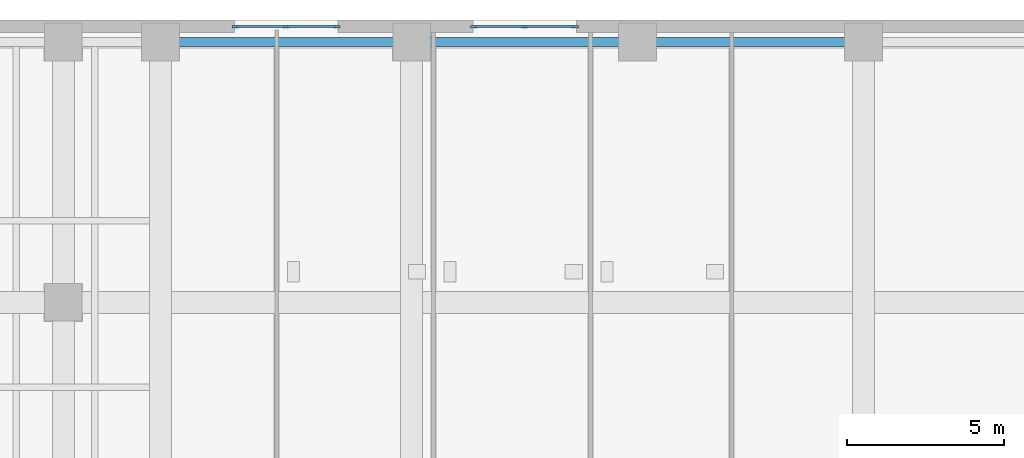
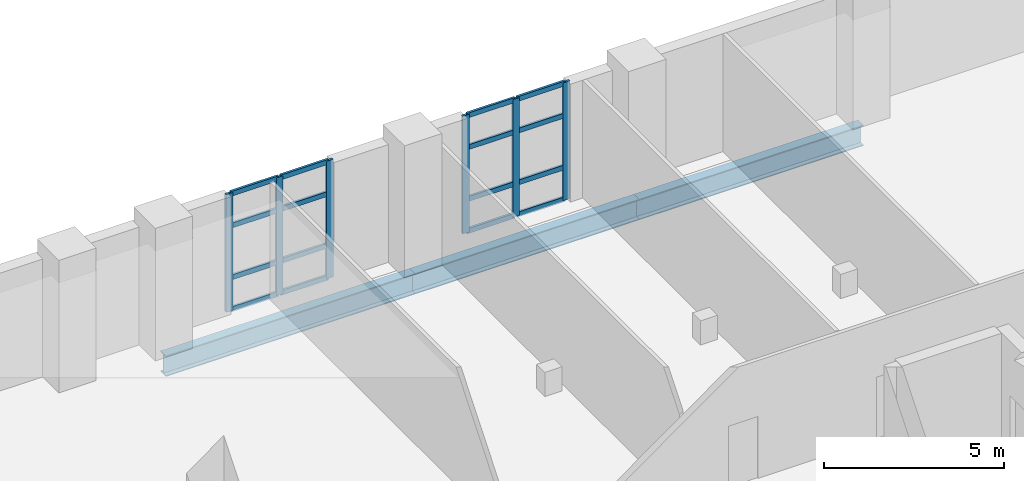
# One storey, part 4 of 15: 22 members, 3 beams, 2 elements without a shape of their own.
"""IFC4 building model written with IfcOpenShell, lengths in metres."""

from ifc_helpers import new_model, si_unit, direction, frame, origin, origin_2d, place, context, subcontext, project, spatial, rectangle, i_section, extrude, material, layer, layer_set, material_profile, profile_set, type_object, element, aggregate, save


model = new_model("IFC4")

# Units and contexts
model_context = context("Model", 3, precision=1e-05, world=origin(), true_north=direction((0.0, 1.0)))
body_context = subcontext(model_context, "Body", "Model", "MODEL_VIEW")
ifc_project = project(units=[si_unit("LENGTHUNIT", "METRE"), si_unit("AREAUNIT", "SQUARE_METRE"), si_unit("VOLUMEUNIT", "CUBIC_METRE"), si_unit("PLANEANGLEUNIT", "RADIAN"), si_unit("MASSUNIT", "GRAM", prefix="KILO")], contexts=[model_context])

# Site, building, storey
site_placement = place(None, origin())
site = spatial("IfcSite", under=ifc_project, at=site_placement, CompositionType="ELEMENT")
building_placement = place(site_placement, origin())
building = spatial("IfcBuilding", under=site, at=building_placement, Name="Kranthara Brick Stack", CompositionType="ELEMENT")
storey_placement = place(building_placement, frame((0.0, 0.0, 14.39990234375)))
storey = spatial("IfcBuildingStorey", under=building, at=storey_placement, Name="L03", CompositionType="ELEMENT", Elevation=14.39990234375)

# Beams
ifc_material_1 = material(Name="Steel S355", Category="steel")
ifc_material_profile_1 = material_profile(ifc_material_1, i_section(OverallWidth=0.300048828125, OverallDepth=0.699951171875, WebThickness=0.01708984375, FlangeThickness=0.031982421875, at=origin_2d()), Name="HEB 700")
ifc_profile_set_1 = profile_set([ifc_material_profile_1], Name="Steel S355")
beam_type = type_object("IfcBeamType", Name="BM-STL-HEB700", PredefinedType="BEAM", material=ifc_profile_set_1)
beam_placement = place(storey_placement, frame((12.800048828125, 52.199951171875, -0.669921875), z_axis=(1.0, 0.0, 0.0), x_axis=(0.0, 1.0, 0.0)))
element("IfcBeam", 1, at=beam_placement, inside=storey, type_object=beam_type, Name="L03 Perimeter Spandrel Beam 014", PredefinedType="BEAM", context=body_context, shape_type="SweptSolid", body=[
    extrude(i_section(OverallWidth=0.300048828125, OverallDepth=0.699951171875, WebThickness=0.01708984375, FlangeThickness=0.031982421875, at=origin_2d()), origin(), (0.0, 0.0, 1.0), 8.0),
])
for number, where, z_axis, x_axis, name in (
    (2, (20.800048828125, 52.199951171875, -0.669921875), (1.0, 0.0, 0.0), (0.0, 1.0, 0.0), "L03 Perimeter Spandrel Beam 015"),
    (3, (28.0, 52.199951171875, -0.669921875), (1.0, 0.0, 0.0), (0.0, 1.0, 0.0), "L03 Perimeter Spandrel Beam 016"),
):
    element("IfcBeam", number, at=place(storey_placement, frame(where, z_axis=z_axis, x_axis=x_axis)), inside=storey, type_object=beam_type, Name=name, PredefinedType="BEAM", context=body_context, shape_type="SweptSolid", body=[
        extrude(i_section(OverallWidth=0.300048828125, OverallDepth=0.699951171875, WebThickness=0.01708984375, FlangeThickness=0.031982421875, at=origin_2d()), origin(), (0.0, 0.0, 1.0), 7.199951171875),
    ])

# Curtain wall, members
ifc_material_2 = material(Name="Bronze anodised aluminium and low-E glass", Category="aluminium")
ifc_layer = layer(ifc_material_2, 0.219970703125)
ifc_layer_set = layer_set([ifc_layer], Name="Bronze anodised aluminium and low-E glass")
curtain_wall_type = type_object("IfcCurtainWallType", Name="CW-SYS2-PODIUM", PredefinedType="USERDEFINED", material=ifc_layer_set)
curtain_wall_1_placement = place(storey_placement, origin())
curtain_wall_1 = element("IfcCurtainWall", 4, at=curtain_wall_1_placement, inside=storey, type_object=curtain_wall_type, Name="L03 Curtain Wall CW2-L03-01", ObjectType="UNITISED CURTAIN WALL", PredefinedType="USERDEFINED")
ifc_material_3 = material(Name="Bronze anodised aluminium 6063-T6", Category="aluminium")
ifc_material_profile_2 = material_profile(ifc_material_3, rectangle(XDim=0.074951171875, YDim=0.219970703125, at=origin_2d()), Name="ALU MULLION 75x220")
ifc_profile_set_2 = profile_set([ifc_material_profile_2], Name="Bronze anodised aluminium 6063-T6")
member_type_1 = type_object("IfcMemberType", Name="CWM-75x220", PredefinedType="MULLION", material=ifc_profile_set_2)
member_1_placement = place(storey_placement, frame((15.1875, 52.68994140625, 0.0), z_axis=(0.0, 0.0, 1.0), x_axis=(0.0, 1.0, 0.0)))
member_1 = element("IfcMember", 5, at=member_1_placement, type_object=member_type_1, Name="CW mullion 1", PredefinedType="MULLION", context=body_context, shape_type="SweptSolid", body=[
    extrude(rectangle(XDim=0.074951171875, YDim=0.219970703125, at=origin_2d()), origin(), (0.0, 0.0, 1.0), 4.0),
])
member_2_placement = place(storey_placement, frame((16.800048828125, 52.68994140625, 0.0), z_axis=(0.0, 0.0, 1.0), x_axis=(0.0, 1.0, 0.0)))
member_2 = element("IfcMember", 6, at=member_2_placement, type_object=member_type_1, Name="CW mullion 2", PredefinedType="MULLION", context=body_context, shape_type="SweptSolid", body=[
    extrude(rectangle(XDim=0.074951171875, YDim=0.219970703125, at=origin_2d()), origin(), (0.0, 0.0, 1.0), 4.0),
])
member_3_placement = place(storey_placement, frame((18.41259765625, 52.68994140625, 0.0), z_axis=(0.0, 0.0, 1.0), x_axis=(0.0, 1.0, 0.0)))
member_3 = element("IfcMember", 7, at=member_3_placement, type_object=member_type_1, Name="CW mullion 3", PredefinedType="MULLION", context=body_context, shape_type="SweptSolid", body=[
    extrude(rectangle(XDim=0.074951171875, YDim=0.219970703125, at=origin_2d()), origin(), (0.0, 0.0, 1.0), 4.0),
])

curtain_wall_2_placement = place(storey_placement, origin())
curtain_wall_2 = element("IfcCurtainWall", 8, at=curtain_wall_2_placement, inside=storey, type_object=curtain_wall_type, Name="L03 Curtain Wall CW2-L03-02", ObjectType="UNITISED CURTAIN WALL", PredefinedType="USERDEFINED")
member_4_placement = place(storey_placement, frame((22.78759765625, 52.68994140625, 0.0), z_axis=(0.0, 0.0, 1.0), x_axis=(0.0, 1.0, 0.0)))
member_4 = element("IfcMember", 9, at=member_4_placement, type_object=member_type_1, Name="CW mullion 1", PredefinedType="MULLION", context=body_context, shape_type="SweptSolid", body=[
    extrude(rectangle(XDim=0.074951171875, YDim=0.219970703125, at=origin_2d()), origin(), (0.0, 0.0, 1.0), 4.0),
])
member_5_placement = place(storey_placement, frame((24.39990234375, 52.68994140625, 0.0), z_axis=(0.0, 0.0, 1.0), x_axis=(0.0, 1.0, 0.0)))
member_5 = element("IfcMember", 10, at=member_5_placement, type_object=member_type_1, Name="CW mullion 2", PredefinedType="MULLION", context=body_context, shape_type="SweptSolid", body=[
    extrude(rectangle(XDim=0.074951171875, YDim=0.219970703125, at=origin_2d()), origin(), (0.0, 0.0, 1.0), 4.0),
])
member_6_placement = place(storey_placement, frame((26.012451171875, 52.68994140625, 0.0), z_axis=(0.0, 0.0, 1.0), x_axis=(0.0, 1.0, 0.0)))
member_6 = element("IfcMember", 11, at=member_6_placement, type_object=member_type_1, Name="CW mullion 3", PredefinedType="MULLION", context=body_context, shape_type="SweptSolid", body=[
    extrude(rectangle(XDim=0.074951171875, YDim=0.219970703125, at=origin_2d()), origin(), (0.0, 0.0, 1.0), 4.0),
])

# Member
ifc_material_4 = material(Name="Bronze anodised aluminium 6063-T6", Category="aluminium")
ifc_material_profile_3 = material_profile(ifc_material_4, rectangle(XDim=0.074951171875, YDim=0.1650390625, at=origin_2d()), Name="ALU TRANSOM 75x165")
ifc_profile_set_3 = profile_set([ifc_material_profile_3], Name="Bronze anodised aluminium 6063-T6")
member_type_2 = type_object("IfcMemberType", Name="CWT-75x165", PredefinedType="USERDEFINED", material=ifc_profile_set_3)
member_7_placement = place(storey_placement, frame((15.22509765625, 52.68994140625, 0.03759765625), z_axis=(1.0, 0.0, 0.0), x_axis=(0.0, 1.0, 0.0)))
member_7 = element("IfcMember", 12, at=member_7_placement, type_object=member_type_2, Name="CW transom 1.1", ObjectType="TRANSOM", PredefinedType="USERDEFINED", context=body_context, shape_type="SweptSolid", body=[
    extrude(rectangle(XDim=0.074951171875, YDim=0.1650390625, at=origin_2d()), origin(), (0.0, 0.0, 1.0), 1.537353515625),
])

member_8_placement = place(storey_placement, frame((15.22509765625, 52.68994140625, 1.1201171875), z_axis=(1.0, 0.0, 0.0), x_axis=(0.0, 1.0, 0.0)))
member_8 = element("IfcMember", 13, at=member_8_placement, type_object=member_type_2, Name="CW transom 1.2", ObjectType="TRANSOM", PredefinedType="USERDEFINED", context=body_context, shape_type="SweptSolid", body=[
    extrude(rectangle(XDim=0.074951171875, YDim=0.1650390625, at=origin_2d()), origin(), (0.0, 0.0, 1.0), 1.537353515625),
])

member_9_placement = place(storey_placement, frame((15.22509765625, 52.68994140625, 2.880126953125), z_axis=(1.0, 0.0, 0.0), x_axis=(0.0, 1.0, 0.0)))
member_9 = element("IfcMember", 14, at=member_9_placement, type_object=member_type_2, Name="CW transom 1.3", ObjectType="TRANSOM", PredefinedType="USERDEFINED", context=body_context, shape_type="SweptSolid", body=[
    extrude(rectangle(XDim=0.074951171875, YDim=0.1650390625, at=origin_2d()), origin(), (0.0, 0.0, 1.0), 1.537353515625),
])

member_10_placement = place(storey_placement, frame((15.22509765625, 52.68994140625, 3.962646484375), z_axis=(1.0, 0.0, 0.0), x_axis=(0.0, 1.0, 0.0)))
member_10 = element("IfcMember", 15, at=member_10_placement, type_object=member_type_2, Name="CW transom 1.4", ObjectType="TRANSOM", PredefinedType="USERDEFINED", context=body_context, shape_type="SweptSolid", body=[
    extrude(rectangle(XDim=0.074951171875, YDim=0.1650390625, at=origin_2d()), origin(), (0.0, 0.0, 1.0), 1.537353515625),
])

member_11_placement = place(storey_placement, frame((16.83740234375, 52.68994140625, 0.03759765625), z_axis=(1.0, 0.0, 0.0), x_axis=(0.0, 1.0, 0.0)))
member_11 = element("IfcMember", 16, at=member_11_placement, type_object=member_type_2, Name="CW transom 2.1", ObjectType="TRANSOM", PredefinedType="USERDEFINED", context=body_context, shape_type="SweptSolid", body=[
    extrude(rectangle(XDim=0.074951171875, YDim=0.1650390625, at=origin_2d()), origin(), (0.0, 0.0, 1.0), 1.53759765625),
])

member_12_placement = place(storey_placement, frame((16.83740234375, 52.68994140625, 1.1201171875), z_axis=(1.0, 0.0, 0.0), x_axis=(0.0, 1.0, 0.0)))
member_12 = element("IfcMember", 17, at=member_12_placement, type_object=member_type_2, Name="CW transom 2.2", ObjectType="TRANSOM", PredefinedType="USERDEFINED", context=body_context, shape_type="SweptSolid", body=[
    extrude(rectangle(XDim=0.074951171875, YDim=0.1650390625, at=origin_2d()), origin(), (0.0, 0.0, 1.0), 1.53759765625),
])

member_13_placement = place(storey_placement, frame((16.83740234375, 52.68994140625, 2.880126953125), z_axis=(1.0, 0.0, 0.0), x_axis=(0.0, 1.0, 0.0)))
member_13 = element("IfcMember", 18, at=member_13_placement, type_object=member_type_2, Name="CW transom 2.3", ObjectType="TRANSOM", PredefinedType="USERDEFINED", context=body_context, shape_type="SweptSolid", body=[
    extrude(rectangle(XDim=0.074951171875, YDim=0.1650390625, at=origin_2d()), origin(), (0.0, 0.0, 1.0), 1.53759765625),
])

member_14_placement = place(storey_placement, frame((16.83740234375, 52.68994140625, 3.962646484375), z_axis=(1.0, 0.0, 0.0), x_axis=(0.0, 1.0, 0.0)))
member_14 = element("IfcMember", 19, at=member_14_placement, type_object=member_type_2, Name="CW transom 2.4", ObjectType="TRANSOM", PredefinedType="USERDEFINED", context=body_context, shape_type="SweptSolid", body=[
    extrude(rectangle(XDim=0.074951171875, YDim=0.1650390625, at=origin_2d()), origin(), (0.0, 0.0, 1.0), 1.53759765625),
])

aggregate(curtain_wall_1, [member_1, member_2, member_3, member_7, member_8, member_9, member_10, member_11, member_12, member_13, member_14])

member_15_placement = place(storey_placement, frame((22.824951171875, 52.68994140625, 0.03759765625), z_axis=(1.0, 0.0, 0.0), x_axis=(0.0, 1.0, 0.0)))
member_15 = element("IfcMember", 20, at=member_15_placement, type_object=member_type_2, Name="CW transom 1.1", ObjectType="TRANSOM", PredefinedType="USERDEFINED", context=body_context, shape_type="SweptSolid", body=[
    extrude(rectangle(XDim=0.074951171875, YDim=0.1650390625, at=origin_2d()), origin(), (0.0, 0.0, 1.0), 1.53759765625),
])

member_16_placement = place(storey_placement, frame((22.824951171875, 52.68994140625, 1.1201171875), z_axis=(1.0, 0.0, 0.0), x_axis=(0.0, 1.0, 0.0)))
member_16 = element("IfcMember", 21, at=member_16_placement, type_object=member_type_2, Name="CW transom 1.2", ObjectType="TRANSOM", PredefinedType="USERDEFINED", context=body_context, shape_type="SweptSolid", body=[
    extrude(rectangle(XDim=0.074951171875, YDim=0.1650390625, at=origin_2d()), origin(), (0.0, 0.0, 1.0), 1.53759765625),
])

member_17_placement = place(storey_placement, frame((22.824951171875, 52.68994140625, 2.880126953125), z_axis=(1.0, 0.0, 0.0), x_axis=(0.0, 1.0, 0.0)))
member_17 = element("IfcMember", 22, at=member_17_placement, type_object=member_type_2, Name="CW transom 1.3", ObjectType="TRANSOM", PredefinedType="USERDEFINED", context=body_context, shape_type="SweptSolid", body=[
    extrude(rectangle(XDim=0.074951171875, YDim=0.1650390625, at=origin_2d()), origin(), (0.0, 0.0, 1.0), 1.53759765625),
])

member_18_placement = place(storey_placement, frame((22.824951171875, 52.68994140625, 3.962646484375), z_axis=(1.0, 0.0, 0.0), x_axis=(0.0, 1.0, 0.0)))
member_18 = element("IfcMember", 23, at=member_18_placement, type_object=member_type_2, Name="CW transom 1.4", ObjectType="TRANSOM", PredefinedType="USERDEFINED", context=body_context, shape_type="SweptSolid", body=[
    extrude(rectangle(XDim=0.074951171875, YDim=0.1650390625, at=origin_2d()), origin(), (0.0, 0.0, 1.0), 1.53759765625),
])

member_19_placement = place(storey_placement, frame((24.4375, 52.68994140625, 0.03759765625), z_axis=(1.0, 0.0, 0.0), x_axis=(0.0, 1.0, 0.0)))
member_19 = element("IfcMember", 24, at=member_19_placement, type_object=member_type_2, Name="CW transom 2.1", ObjectType="TRANSOM", PredefinedType="USERDEFINED", context=body_context, shape_type="SweptSolid", body=[
    extrude(rectangle(XDim=0.074951171875, YDim=0.1650390625, at=origin_2d()), origin(), (0.0, 0.0, 1.0), 1.53759765625),
])

member_20_placement = place(storey_placement, frame((24.4375, 52.68994140625, 1.1201171875), z_axis=(1.0, 0.0, 0.0), x_axis=(0.0, 1.0, 0.0)))
member_20 = element("IfcMember", 25, at=member_20_placement, type_object=member_type_2, Name="CW transom 2.2", ObjectType="TRANSOM", PredefinedType="USERDEFINED", context=body_context, shape_type="SweptSolid", body=[
    extrude(rectangle(XDim=0.074951171875, YDim=0.1650390625, at=origin_2d()), origin(), (0.0, 0.0, 1.0), 1.53759765625),
])

member_21_placement = place(storey_placement, frame((24.4375, 52.68994140625, 2.880126953125), z_axis=(1.0, 0.0, 0.0), x_axis=(0.0, 1.0, 0.0)))
member_21 = element("IfcMember", 26, at=member_21_placement, type_object=member_type_2, Name="CW transom 2.3", ObjectType="TRANSOM", PredefinedType="USERDEFINED", context=body_context, shape_type="SweptSolid", body=[
    extrude(rectangle(XDim=0.074951171875, YDim=0.1650390625, at=origin_2d()), origin(), (0.0, 0.0, 1.0), 1.53759765625),
])

member_22_placement = place(storey_placement, frame((24.4375, 52.68994140625, 3.962646484375), z_axis=(1.0, 0.0, 0.0), x_axis=(0.0, 1.0, 0.0)))
member_22 = element("IfcMember", 27, at=member_22_placement, type_object=member_type_2, Name="CW transom 2.4", ObjectType="TRANSOM", PredefinedType="USERDEFINED", context=body_context, shape_type="SweptSolid", body=[
    extrude(rectangle(XDim=0.074951171875, YDim=0.1650390625, at=origin_2d()), origin(), (0.0, 0.0, 1.0), 1.53759765625),
])

aggregate(curtain_wall_2, [member_4, member_5, member_6, member_15, member_16, member_17, member_18, member_19, member_20, member_21, member_22])

save(model, "model.ifc")
